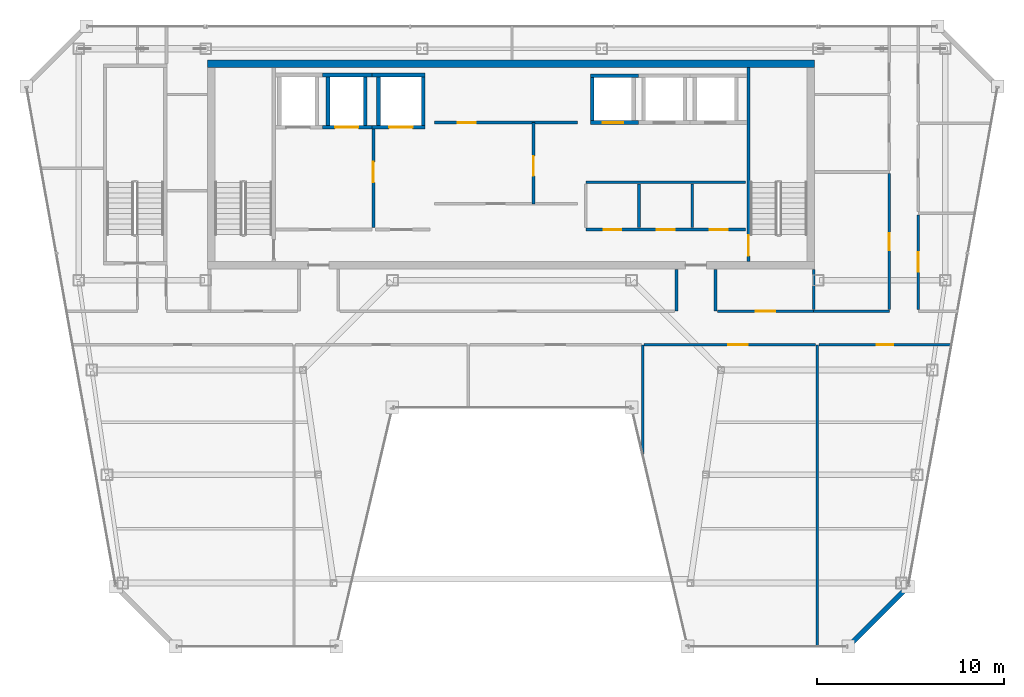
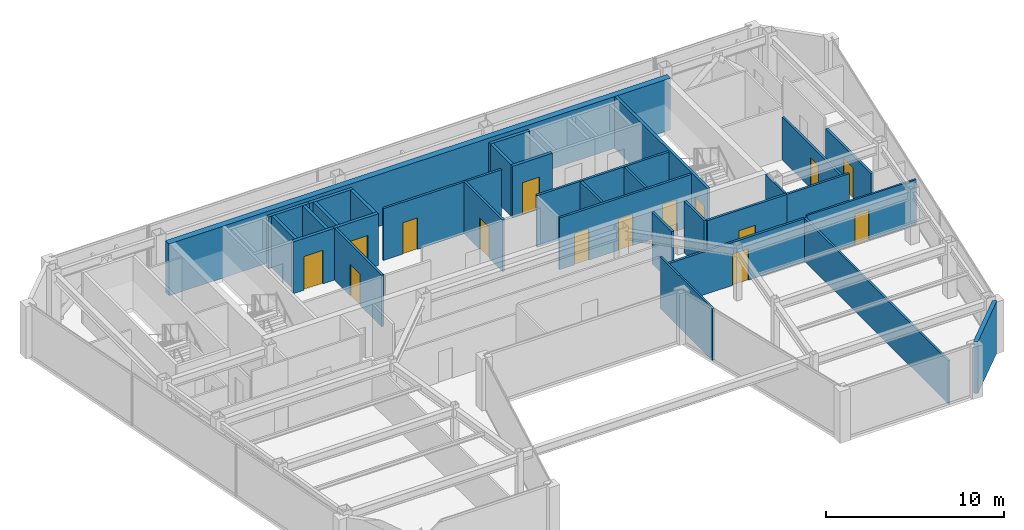
# One storey, part 28 of 32: 32 walls, 15 doors, 15 openings.
"""IFC4 building model written with IfcOpenShell, lengths in metres."""

from ifc_helpers import new_model, si_unit, direction, frame, frame_2d, origin, place, context, subcontext, project, spatial, rectangle, extrude, material, layer, layer_set, type_object, element, fill, save


model = new_model("IFC4")

# Units and contexts
model_context = context("Model", 3, precision=1e-05, world=origin(), true_north=direction((0.0, 1.0)))
body_context = subcontext(model_context, "Body", "Model", "MODEL_VIEW")
ifc_project = project(units=[si_unit("LENGTHUNIT", "METRE"), si_unit("AREAUNIT", "SQUARE_METRE"), si_unit("VOLUMEUNIT", "CUBIC_METRE"), si_unit("PLANEANGLEUNIT", "RADIAN"), si_unit("MASSUNIT", "GRAM", prefix="KILO")], contexts=[model_context])

# Site, building, storey
site_placement = place(None, origin())
site = spatial("IfcSite", under=ifc_project, at=site_placement, CompositionType="ELEMENT")
building_placement = place(site_placement, origin())
building = spatial("IfcBuilding", under=site, at=building_placement, Name="Saevonmaru Cultural Tower", CompositionType="ELEMENT")
storey_placement = place(building_placement, frame((0.0, 0.0, 264.800048828125)))
storey = spatial("IfcBuildingStorey", under=building, at=storey_placement, Name="L62", CompositionType="ELEMENT", Elevation=264.800048828125)

# Wall
ifc_material_1 = material(Name="Concrete C50/60", Category="concrete")
ifc_layer_1 = layer(ifc_material_1, 0.39990234375, Name="Concrete C50/60")
ifc_layer_set_1 = layer_set([ifc_layer_1], Name="Concrete C50/60")
wall_type_1 = type_object("IfcWallType", Name="WL-CORE-400", PredefinedType="SHEAR", material=ifc_layer_set_1)
wall_1_placement = place(storey_placement, frame((13.699951171875, 54.0, 0.0), z_axis=(0.0, 0.0, 1.0), x_axis=(1.0, 0.0, 0.0)))
element("IfcWall", 1, at=wall_1_placement, inside=storey, type_object=wall_type_1, Name="L62 Tower RC core shear wall N", PredefinedType="SHEAR", context=body_context, shape_type="SweptSolid", body=[
    extrude(rectangle(XDim=32.5, YDim=0.39990234375, at=frame_2d((16.25, 0.0))), origin(), (0.0, 0.0, 1.0), 3.550048828125),
])

# Wall, opening, door
ifc_material_2 = material(Name="Gypsum Fireboard Partition", Category="gypsum")
ifc_layer_2 = layer(ifc_material_2, 0.14990234375, Name="Gypsum Fireboard Partition")
ifc_layer_set_2 = layer_set([ifc_layer_2], Name="Gypsum Fireboard Partition")
wall_type_2 = type_object("IfcWallType", Name="WL-CORE-PART-150", PredefinedType="PARTITIONING", material=ifc_layer_set_2)
wall_2_placement = place(storey_placement, frame((22.580078125, 50.550048828125, 0.0), z_axis=(0.0, 0.0, 1.0), x_axis=(0.0, -1.0, 0.0)))
wall_2 = element("IfcWall", 2, at=wall_2_placement, inside=storey, type_object=wall_type_2, Name="L62 Firefighting Lift Lobby East Wall", PredefinedType="PARTITIONING", context=body_context, shape_type="SweptSolid", body=[
    extrude(rectangle(XDim=5.330078125, YDim=0.14990234375, at=frame_2d((2.6650390625, 0.0))), origin(), (0.0, 0.0, 1.0), 3.550048828125),
])
opening_1_placement = place(wall_2_placement, frame((1.800048828125, 0.0, 0.0)))
opening_1 = element("IfcOpeningElement", 3, at=opening_1_placement, cuts=wall_2, Name="Opening FD-2", PredefinedType="OPENING", context=body_context, shape_type="SweptSolid", body=[
    extrude(rectangle(XDim=1.10009765625, YDim=2.14990234375, at=frame_2d((0.550048828125, 1.074951171875))), frame((0.0, 0.0849609375, 0.0), z_axis=(0.0, -1.0, 0.0), x_axis=(1.0, 0.0, 0.0)), (0.0, 0.0, 1.0), 0.169921875),
])
ifc_material_3 = material(Name="Satin Bronze Anodised Aluminium", Category="aluminium")
door_type_1 = type_object("IfcDoorType", Name="DR-FD60-1100", OperationType="SINGLE_SWING_LEFT", PredefinedType="DOOR", material=ifc_material_3)
door_1_placement = place(opening_1_placement, origin())
door_1 = element("IfcDoor", 4, at=door_1_placement, inside=storey, type_object=door_type_1, Name="L62 Firefighting Lift Lobby East Door", OperationType="SINGLE_SWING_LEFT", OverallHeight=2.14990234375, OverallWidth=1.10009765625, PredefinedType="DOOR", context=body_context, shape_type="SweptSolid", body=[
    extrude(rectangle(XDim=1.10009765625, YDim=2.14990234375, at=frame_2d((0.550048828125, 1.074951171875))), frame((0.0, 0.02490234375, 0.0), z_axis=(0.0, -1.0, 0.0), x_axis=(1.0, 0.0, 0.0)), (0.0, 0.0, 1.0), 0.050048828125),
])
fill(opening_1, door_1)

wall_3_placement = place(storey_placement, frame((31.14990234375, 46.5, 0.0), z_axis=(0.0, 0.0, 1.0), x_axis=(0.0, 1.0, 0.0)))
wall_3 = element("IfcWall", 5, at=wall_3_placement, inside=storey, type_object=wall_type_2, Name="L62 Lift Zone Baffle 1", PredefinedType="PARTITIONING", context=body_context, shape_type="SweptSolid", body=[
    extrude(rectangle(XDim=4.35009765625, YDim=0.14990234375, at=frame_2d((2.175048828125, 0.0))), origin(), (0.0, 0.0, 1.0), 3.550048828125),
])
opening_2_placement = place(wall_3_placement, frame((1.5, 0.0, 0.0)))
opening_2 = element("IfcOpeningElement", 6, at=opening_2_placement, cuts=wall_3, Name="Opening ID-1", PredefinedType="OPENING", context=body_context, shape_type="SweptSolid", body=[
    extrude(rectangle(XDim=1.050048828125, YDim=2.14990234375, at=frame_2d((0.52490234375, 1.074951171875))), frame((0.0, 0.0849609375, 0.0), z_axis=(0.0, -1.0, 0.0), x_axis=(1.0, 0.0, 0.0)), (0.0, 0.0, 1.0), 0.169921875),
])
door_type_2 = type_object("IfcDoorType", Name="DR-INT-1050", OperationType="SINGLE_SWING_LEFT", PredefinedType="DOOR", material=ifc_material_3)
door_2_placement = place(opening_2_placement, origin())
door_2 = element("IfcDoor", 7, at=door_2_placement, inside=storey, type_object=door_type_2, Name="L62 West-Mid Lobby Portal", OperationType="SINGLE_SWING_LEFT", OverallHeight=2.14990234375, OverallWidth=1.050048828125, PredefinedType="DOOR", context=body_context, shape_type="SweptSolid", body=[
    extrude(rectangle(XDim=1.050048828125, YDim=2.14990234375, at=frame_2d((0.52490234375, 1.074951171875))), frame((0.0, 0.02490234375, 0.0), z_axis=(0.0, -1.0, 0.0), x_axis=(1.0, 0.0, 0.0)), (0.0, 0.0, 1.0), 0.050048828125),
])
fill(opening_2, door_2)

# Wall, openings, doors
wall_4_placement = place(storey_placement, frame((33.949951171875, 45.1201171875, 0.0), z_axis=(0.0, 0.0, 1.0), x_axis=(1.0, 0.0, 0.0)))
wall_4 = element("IfcWall", 8, at=wall_4_placement, inside=storey, type_object=wall_type_2, Name="L62 Core Utility South Wall", PredefinedType="PARTITIONING", context=body_context, shape_type="SweptSolid", body=[
    extrude(rectangle(XDim=8.550048828125, YDim=0.14990234375, at=frame_2d((4.27490234375, 0.0))), origin(), (0.0, 0.0, 1.0), 3.550048828125),
])
opening_3_placement = place(wall_4_placement, frame((0.949951171875, 0.0, 0.0)))
opening_3 = element("IfcOpeningElement", 9, at=opening_3_placement, cuts=wall_4, Name="Opening FD-4", PredefinedType="OPENING", context=body_context, shape_type="SweptSolid", body=[
    extrude(rectangle(XDim=0.949951171875, YDim=2.14990234375, at=frame_2d((0.47509765625, 1.074951171875))), frame((0.0, 0.0849609375, 0.0), z_axis=(0.0, -1.0, 0.0), x_axis=(1.0, 0.0, 0.0)), (0.0, 0.0, 1.0), 0.169921875),
])
opening_4_placement = place(wall_4_placement, frame((3.800048828125, 0.0, 0.0)))
opening_4 = element("IfcOpeningElement", 10, at=opening_4_placement, cuts=wall_4, Name="Opening FD-4", PredefinedType="OPENING", context=body_context, shape_type="SweptSolid", body=[
    extrude(rectangle(XDim=0.949951171875, YDim=2.14990234375, at=frame_2d((0.47509765625, 1.074951171875))), frame((0.0, 0.0849609375, 0.0), z_axis=(0.0, -1.0, 0.0), x_axis=(1.0, 0.0, 0.0)), (0.0, 0.0, 1.0), 0.169921875),
])
opening_5_placement = place(wall_4_placement, frame((6.64990234375, 0.0, 0.0)))
opening_5 = element("IfcOpeningElement", 11, at=opening_5_placement, cuts=wall_4, Name="Opening FD-4", PredefinedType="OPENING", context=body_context, shape_type="SweptSolid", body=[
    extrude(rectangle(XDim=0.949951171875, YDim=2.14990234375, at=frame_2d((0.47509765625, 1.074951171875))), frame((0.0, 0.0849609375, 0.0), z_axis=(0.0, -1.0, 0.0), x_axis=(1.0, 0.0, 0.0)), (0.0, 0.0, 1.0), 0.169921875),
])
door_type_3 = type_object("IfcDoorType", Name="DR-FD60-950", OperationType="SINGLE_SWING_LEFT", PredefinedType="DOOR", material=ifc_material_3)
door_3_placement = place(opening_3_placement, origin())
door_3 = element("IfcDoor", 12, at=door_3_placement, inside=storey, type_object=door_type_3, Name="L62 Meter Plant Door", OperationType="SINGLE_SWING_LEFT", OverallHeight=2.14990234375, OverallWidth=0.949951171875, PredefinedType="DOOR", context=body_context, shape_type="SweptSolid", body=[
    extrude(rectangle(XDim=0.949951171875, YDim=2.14990234375, at=frame_2d((0.47509765625, 1.074951171875))), frame((0.0, 0.02490234375, 0.0), z_axis=(0.0, -1.0, 0.0), x_axis=(1.0, 0.0, 0.0)), (0.0, 0.0, 1.0), 0.050048828125),
])
fill(opening_3, door_3)
door_4_placement = place(opening_4_placement, origin())
door_4 = element("IfcDoor", 13, at=door_4_placement, inside=storey, type_object=door_type_3, Name="L62 AV Rack Plant Door", OperationType="SINGLE_SWING_LEFT", OverallHeight=2.14990234375, OverallWidth=0.949951171875, PredefinedType="DOOR", context=body_context, shape_type="SweptSolid", body=[
    extrude(rectangle(XDim=0.949951171875, YDim=2.14990234375, at=frame_2d((0.47509765625, 1.074951171875))), frame((0.0, 0.02490234375, 0.0), z_axis=(0.0, -1.0, 0.0), x_axis=(1.0, 0.0, 0.0)), (0.0, 0.0, 1.0), 0.050048828125),
])
fill(opening_4, door_4)
door_5_placement = place(opening_5_placement, origin())
door_5 = element("IfcDoor", 14, at=door_5_placement, inside=storey, type_object=door_type_3, Name="L62 Archive Supply Storage Door", OperationType="SINGLE_SWING_LEFT", OverallHeight=2.14990234375, OverallWidth=0.949951171875, PredefinedType="DOOR", context=body_context, shape_type="SweptSolid", body=[
    extrude(rectangle(XDim=0.949951171875, YDim=2.14990234375, at=frame_2d((0.47509765625, 1.074951171875))), frame((0.0, 0.02490234375, 0.0), z_axis=(0.0, -1.0, 0.0), x_axis=(1.0, 0.0, 0.0)), (0.0, 0.0, 1.0), 0.050048828125),
])
fill(opening_5, door_5)

# Walls
wall_5_placement = place(storey_placement, frame((33.949951171875, 47.64990234375, 0.0), z_axis=(0.0, 0.0, 1.0), x_axis=(1.0, 0.0, 0.0)))
element("IfcWall", 15, at=wall_5_placement, inside=storey, type_object=wall_type_2, Name="L62 Core Utility North Wall", PredefinedType="PARTITIONING", context=body_context, shape_type="SweptSolid", body=[
    extrude(rectangle(XDim=8.550048828125, YDim=0.14990234375, at=frame_2d((4.27490234375, 0.0))), origin(), (0.0, 0.0, 1.0), 3.550048828125),
])
for number, where, z_axis, x_axis, name in (
    (16, (36.800048828125, 45.219970703125, 0.0), (0.0, 0.0, 1.0), (0.0, 1.0, 0.0), "L62 Utility Divider 1"),
    (17, (39.64990234375, 45.219970703125, 0.0), (0.0, 0.0, 1.0), (0.0, 1.0, 0.0), "L62 Utility Divider 2"),
):
    element("IfcWall", number, at=place(storey_placement, frame(where, z_axis=z_axis, x_axis=x_axis)), inside=storey, type_object=wall_type_2, Name=name, PredefinedType="PARTITIONING", context=body_context, shape_type="SweptSolid", body=[
        extrude(rectangle(XDim=2.330078125, YDim=0.14990234375, at=frame_2d((1.1650390625, 0.0))), origin(), (0.0, 0.0, 1.0), 3.550048828125),
    ])

# Wall, opening, door
wall_6_placement = place(storey_placement, frame((25.85009765625, 50.85009765625, 0.0), z_axis=(0.0, 0.0, 1.0), x_axis=(1.0, 0.0, 0.0)))
wall_6 = element("IfcWall", 18, at=wall_6_placement, inside=storey, type_object=wall_type_2, Name="L62 Reclaimed Core Room South Wall", PredefinedType="PARTITIONING", context=body_context, shape_type="SweptSolid", body=[
    extrude(rectangle(XDim=7.64990234375, YDim=0.14990234375, at=frame_2d((3.824951171875, 0.0))), origin(), (0.0, 0.0, 1.0), 3.550048828125),
])
opening_6_placement = place(wall_6_placement, frame((1.25, 0.0, 0.0)))
opening_6 = element("IfcOpeningElement", 19, at=opening_6_placement, cuts=wall_6, Name="Opening FD-4", PredefinedType="OPENING", context=body_context, shape_type="SweptSolid", body=[
    extrude(rectangle(XDim=0.949951171875, YDim=2.14990234375, at=frame_2d((0.47509765625, 1.074951171875))), frame((0.0, 0.0849609375, 0.0), z_axis=(0.0, -1.0, 0.0), x_axis=(1.0, 0.0, 0.0)), (0.0, 0.0, 1.0), 0.169921875),
])
door_6_placement = place(opening_6_placement, origin())
door_6 = element("IfcDoor", 20, at=door_6_placement, inside=storey, type_object=door_type_3, Name="L62 Reclaimed Archive Vault Door", OperationType="SINGLE_SWING_LEFT", OverallHeight=2.14990234375, OverallWidth=0.949951171875, PredefinedType="DOOR", context=body_context, shape_type="SweptSolid", body=[
    extrude(rectangle(XDim=0.949951171875, YDim=2.14990234375, at=frame_2d((0.47509765625, 1.074951171875))), frame((0.0, 0.02490234375, 0.0), z_axis=(0.0, -1.0, 0.0), x_axis=(1.0, 0.0, 0.0)), (0.0, 0.0, 1.0), 0.050048828125),
])
fill(opening_6, door_6)

# Wall
ifc_material_4 = material(Name="Granite-Clad Precast Concrete C40/50", Category="masonry")
ifc_layer_3 = layer(ifc_material_4, 0.260009765625, Name="Granite-Clad Precast Concrete C40/50")
ifc_layer_set_3 = layer_set([ifc_layer_3], Name="Granite-Clad Precast Concrete C40/50")
wall_type_3 = type_object("IfcWallType", Name="WL-EXT-SPANDREL-260", PredefinedType="STANDARD", material=ifc_layer_set_3)
wall_7_placement = place(storey_placement, frame((48.117431640625, 22.9130859375, 0.0), z_axis=(0.0, 0.0, 1.0), x_axis=(0.707106781187, 0.707106781187, 0.0)))
element("IfcWall", 21, at=wall_7_placement, inside=storey, type_object=wall_type_3, Name="L62 Chamfer Corner Spandrel Wall E7", PredefinedType="STANDARD", context=body_context, shape_type="SweptSolid", body=[
    extrude(rectangle(XDim=4.205810546875, YDim=0.260009765625, at=frame_2d((2.10302734375, 0.0))), origin(), (0.0, 0.0, 1.0), 3.550048828125),
])

# Wall, opening, door
ifc_layer_4 = layer(ifc_material_2, 0.14990234375, Name="Gypsum Fireboard Partition")
ifc_layer_set_4 = layer_set([ifc_layer_4], Name="Gypsum Fireboard Partition")
wall_type_4 = type_object("IfcWallType", Name="WL-PART-FIRE-150", PredefinedType="PARTITIONING", material=ifc_layer_set_4)
wall_8_placement = place(storey_placement, frame((51.75, 40.83740234375, 0.0), z_axis=(0.0, 0.0, 1.0), x_axis=(0.0, 1.0, 0.0)))
wall_8 = element("IfcWall", 22, at=wall_8_placement, inside=storey, type_object=wall_type_4, Name="L62 Contemporary Photography Gallery Corridor Wall", PredefinedType="PARTITIONING", context=body_context, shape_type="SweptSolid", body=[
    extrude(rectangle(XDim=5.0751953125, YDim=0.14990234375, at=frame_2d((2.53759765625, 0.0))), origin(), (0.0, 0.0, 1.0), 2.947021484375),
])
opening_7_placement = place(wall_8_placement, frame((2.012939453125, 0.0, 0.0)))
opening_7 = element("IfcOpeningElement", 23, at=opening_7_placement, cuts=wall_8, Name="Opening ID-1", PredefinedType="OPENING", context=body_context, shape_type="SweptSolid", body=[
    extrude(rectangle(XDim=1.050048828125, YDim=2.14990234375, at=frame_2d((0.52490234375, 1.074951171875))), frame((0.0, 0.0849609375, 0.0), z_axis=(0.0, -1.0, 0.0), x_axis=(1.0, 0.0, 0.0)), (0.0, 0.0, 1.0), 0.169921875),
])
door_7_placement = place(opening_7_placement, origin())
door_7 = element("IfcDoor", 24, at=door_7_placement, inside=storey, type_object=door_type_2, Name="L62 Contemporary Photography Gallery Door", OperationType="SINGLE_SWING_LEFT", OverallHeight=2.14990234375, OverallWidth=1.050048828125, PredefinedType="DOOR", context=body_context, shape_type="SweptSolid", body=[
    extrude(rectangle(XDim=1.050048828125, YDim=2.14990234375, at=frame_2d((0.52490234375, 1.074951171875))), frame((0.0, 0.02490234375, 0.0), z_axis=(0.0, -1.0, 0.0), x_axis=(1.0, 0.0, 0.0)), (0.0, 0.0, 1.0), 0.050048828125),
])
fill(opening_7, door_7)

# Walls
for number, where, z_axis, x_axis, name in (
    (25, (38.800048828125, 40.75, 0.0), (0.0, 0.0, 1.0), (0.0, 1.0, 0.0), "L62 Core Portal Side Wall E1"),
    (26, (40.89990234375, 40.75, 0.0), (0.0, 0.0, 1.0), (0.0, 1.0, 0.0), "L62 Core Portal Side Wall E2"),
):
    element("IfcWall", number, at=place(storey_placement, frame(where, z_axis=z_axis, x_axis=x_axis)), inside=storey, type_object=wall_type_4, Name=name, PredefinedType="PARTITIONING", context=body_context, shape_type="SweptSolid", body=[
        extrude(rectangle(XDim=2.22998046875, YDim=0.14990234375, at=frame_2d((1.114990234375, 0.0))), origin(), (0.0, 0.0, 1.0), 3.550048828125),
    ])

# Wall, opening, door
wall_9_placement = place(storey_placement, frame((40.9951171875, 40.75, 0.0), z_axis=(0.0, 0.0, 1.0), x_axis=(1.0, 0.0, 0.0)))
wall_9 = element("IfcWall", 27, at=wall_9_placement, inside=storey, type_object=wall_type_4, Name="L62 Sculpture Study Gallery Corridor Wall", PredefinedType="PARTITIONING", context=body_context, shape_type="SweptSolid", body=[
    extrude(rectangle(XDim=5.15478515625, YDim=0.14990234375, at=frame_2d((2.577392578125, 0.0))), origin(), (0.0, 0.0, 1.0), 3.550048828125),
])
opening_8_placement = place(wall_9_placement, frame((2.052978515625, 0.0, 0.0)))
opening_8 = element("IfcOpeningElement", 28, at=opening_8_placement, cuts=wall_9, Name="Opening ID-1", PredefinedType="OPENING", context=body_context, shape_type="SweptSolid", body=[
    extrude(rectangle(XDim=1.050048828125, YDim=2.14990234375, at=frame_2d((0.52490234375, 1.074951171875))), frame((0.0, 0.0849609375, 0.0), z_axis=(0.0, -1.0, 0.0), x_axis=(1.0, 0.0, 0.0)), (0.0, 0.0, 1.0), 0.169921875),
])
door_8_placement = place(opening_8_placement, origin())
door_8 = element("IfcDoor", 29, at=door_8_placement, inside=storey, type_object=door_type_2, Name="L62 Sculpture Study Gallery Door", OperationType="SINGLE_SWING_RIGHT", OverallHeight=2.14990234375, OverallWidth=1.050048828125, PredefinedType="DOOR", context=body_context, shape_type="SweptSolid", body=[
    extrude(rectangle(XDim=1.050048828125, YDim=2.14990234375, at=frame_2d((0.52490234375, 1.074951171875))), frame((0.0, 0.02490234375, 0.0), z_axis=(0.0, -1.0, 0.0), x_axis=(1.0, 0.0, 0.0)), (0.0, 0.0, 1.0), 0.050048828125),
])
fill(opening_8, door_8)

wall_10_placement = place(storey_placement, frame((37.080078125, 38.949951171875, 0.0), z_axis=(0.0, 0.0, 1.0), x_axis=(1.0, 0.0, 0.0)))
wall_10 = element("IfcWall", 30, at=wall_10_placement, inside=storey, type_object=wall_type_4, Name="L62 Contemporary Photography Gallery Corridor Wall", PredefinedType="PARTITIONING", context=body_context, shape_type="SweptSolid", body=[
    extrude(rectangle(XDim=9.17236328125, YDim=0.14990234375, at=frame_2d((4.586181640625, 0.0))), origin(), (0.0, 0.0, 1.0), 2.947021484375),
])
opening_9_placement = place(wall_10_placement, frame((4.5009765625, 0.0, 0.0)))
opening_9 = element("IfcOpeningElement", 31, at=opening_9_placement, cuts=wall_10, Name="Opening ID-1", PredefinedType="OPENING", context=body_context, shape_type="SweptSolid", body=[
    extrude(rectangle(XDim=1.050048828125, YDim=2.14990234375, at=frame_2d((0.52490234375, 1.074951171875))), frame((0.0, 0.0849609375, 0.0), z_axis=(0.0, -1.0, 0.0), x_axis=(1.0, 0.0, 0.0)), (0.0, 0.0, 1.0), 0.169921875),
])
door_9_placement = place(opening_9_placement, origin())
door_9 = element("IfcDoor", 32, at=door_9_placement, inside=storey, type_object=door_type_2, Name="L62 Contemporary Photography Gallery Door", OperationType="SINGLE_SWING_RIGHT", OverallHeight=2.14990234375, OverallWidth=1.050048828125, PredefinedType="DOOR", context=body_context, shape_type="SweptSolid", body=[
    extrude(rectangle(XDim=1.050048828125, YDim=2.14990234375, at=frame_2d((0.52490234375, 1.074951171875))), frame((0.0, 0.02490234375, 0.0), z_axis=(0.0, -1.0, 0.0), x_axis=(1.0, 0.0, 0.0)), (0.0, 0.0, 1.0), 0.050048828125),
])
fill(opening_9, door_9)

# Wall
ifc_layer_5 = layer(ifc_material_2, 0.1201171875, Name="Gypsum Fireboard Partition")
ifc_layer_set_5 = layer_set([ifc_layer_5], Name="Gypsum Fireboard Partition")
wall_type_5 = type_object("IfcWallType", Name="WL-PART-GYP-120", PredefinedType="PARTITIONING", material=ifc_layer_set_5)
wall_11_placement = place(storey_placement, frame((37.0, 33.080810546875, 0.0), z_axis=(0.0, 0.0, 1.0), x_axis=(0.0, 1.0, 0.0)))
element("IfcWall", 33, at=wall_11_placement, inside=storey, type_object=wall_type_5, Name="L62 Observatory Bay Divider 3", PredefinedType="PARTITIONING", context=body_context, shape_type="SweptSolid", body=[
    extrude(rectangle(XDim=5.869140625, YDim=0.1201171875, at=frame_2d((2.9345703125, 0.0))), origin(), (0.0, 0.0, 1.0), 3.550048828125),
])

# Wall, opening, door
wall_12_placement = place(storey_placement, frame((46.427490234375, 38.949951171875, 0.0), z_axis=(0.0, 0.0, 1.0), x_axis=(1.0, 0.0, 0.0)))
wall_12 = element("IfcWall", 34, at=wall_12_placement, inside=storey, type_object=wall_type_5, Name="L62 Digital Media Classroom Corridor Wall", PredefinedType="PARTITIONING", context=body_context, shape_type="SweptSolid", body=[
    extrude(rectangle(XDim=7.089111328125, YDim=0.1201171875, at=frame_2d((3.54443359375, 0.0))), origin(), (0.0, 0.0, 1.0), 3.0849609375),
])
opening_10_placement = place(wall_12_placement, frame((3.094970703125, 0.0, 0.0)))
opening_10 = element("IfcOpeningElement", 35, at=opening_10_placement, cuts=wall_12, Name="Opening ID-2", PredefinedType="OPENING", context=body_context, shape_type="SweptSolid", body=[
    extrude(rectangle(XDim=0.89990234375, YDim=2.10009765625, at=frame_2d((0.449951171875, 1.050048828125))), frame((0.0, 0.070068359375, 0.0), z_axis=(0.0, -1.0, 0.0), x_axis=(1.0, 0.0, 0.0)), (0.0, 0.0, 1.0), 0.14013671875),
])
ifc_material_5 = material(Name="Acoustic Stained Oak Timber", Category="wood")
door_type_4 = type_object("IfcDoorType", Name="DR-INT-900", OperationType="SINGLE_SWING_RIGHT", PredefinedType="DOOR", material=ifc_material_5)
door_10_placement = place(opening_10_placement, origin())
door_10 = element("IfcDoor", 36, at=door_10_placement, inside=storey, type_object=door_type_4, Name="L62 Digital Media Classroom Door", OperationType="SINGLE_SWING_LEFT", OverallHeight=2.10009765625, OverallWidth=0.89990234375, PredefinedType="DOOR", context=body_context, shape_type="SweptSolid", body=[
    extrude(rectangle(XDim=0.89990234375, YDim=2.10009765625, at=frame_2d((0.449951171875, 1.050048828125))), frame((0.0, 0.02490234375, 0.0), z_axis=(0.0, -1.0, 0.0), x_axis=(1.0, 0.0, 0.0)), (0.0, 0.0, 1.0), 0.050048828125),
])
fill(opening_10, door_10)

# Walls
ifc_layer_6 = layer(ifc_material_2, 0.135009765625, Name="Gypsum Fireboard Partition")
ifc_layer_set_6 = layer_set([ifc_layer_6], Name="Gypsum Fireboard Partition")
wall_type_6 = type_object("IfcWallType", Name="WL-PART-GYP-135", PredefinedType="PARTITIONING", material=ifc_layer_set_6)
wall_13_placement = place(storey_placement, frame((46.340087890625, 22.804931640625, 0.0), z_axis=(0.0, 0.0, 1.0), x_axis=(0.0, 1.0, 0.0)))
element("IfcWall", 37, at=wall_13_placement, inside=storey, type_object=wall_type_6, Name="L62 Observatory Bay Divider 4", PredefinedType="PARTITIONING", context=body_context, shape_type="SweptSolid", body=[
    extrude(rectangle(XDim=16.14501953125, YDim=0.135009765625, at=frame_2d((8.072509765625, 0.0))), origin(), (0.0, 0.0, 1.0), 2.947021484375),
])
ifc_layer_7 = layer(ifc_material_2, 0.139892578125, Name="Gypsum Fireboard Partition")
ifc_layer_set_7 = layer_set([ifc_layer_7], Name="Gypsum Fireboard Partition")
wall_type_7 = type_object("IfcWallType", Name="WL-PART-WET-140", PredefinedType="PARTITIONING", material=ifc_layer_set_7)
wall_14_placement = place(storey_placement, frame((46.14990234375, 40.75, 0.0), z_axis=(0.0, 0.0, 1.0), x_axis=(1.0, 0.0, 0.0)))
element("IfcWall", 38, at=wall_14_placement, inside=storey, type_object=wall_type_7, Name="L62 Washroom South Wall", PredefinedType="PARTITIONING", context=body_context, shape_type="SweptSolid", body=[
    extrude(rectangle(XDim=4.050048828125, YDim=0.139892578125, at=frame_2d((2.02490234375, 0.0))), origin(), (0.0, 0.0, 1.0), 3.550048828125),
])
wall_15_placement = place(storey_placement, frame((46.14990234375, 40.840087890625, 0.0), z_axis=(0.0, 0.0, 1.0), x_axis=(0.0, 1.0, 0.0)))
element("IfcWall", 39, at=wall_15_placement, inside=storey, type_object=wall_type_7, Name="L62 Washroom South-West Return", PredefinedType="PARTITIONING", context=body_context, shape_type="SweptSolid", body=[
    extrude(rectangle(XDim=2.139892578125, YDim=0.139892578125, at=frame_2d((1.06982421875, 0.0))), origin(), (0.0, 0.0, 1.0), 3.550048828125),
])

# Wall, opening, door
wall_16_placement = place(storey_placement, frame((50.199951171875, 40.840087890625, 0.0), z_axis=(0.0, 0.0, 1.0), x_axis=(0.0, 1.0, 0.0)))
wall_16 = element("IfcWall", 40, at=wall_16_placement, inside=storey, type_object=wall_type_7, Name="L62 Washroom Corridor Wall", PredefinedType="PARTITIONING", context=body_context, shape_type="SweptSolid", body=[
    extrude(rectangle(XDim=7.27001953125, YDim=0.139892578125, at=frame_2d((3.635009765625, 0.0))), origin(), (0.0, 0.0, 1.0), 2.947021484375),
])
opening_11_placement = place(wall_16_placement, frame((3.18505859375, 0.0, 0.0)))
opening_11 = element("IfcOpeningElement", 41, at=opening_11_placement, cuts=wall_16, Name="Opening ID-2", PredefinedType="OPENING", context=body_context, shape_type="SweptSolid", body=[
    extrude(rectangle(XDim=0.89990234375, YDim=2.10009765625, at=frame_2d((0.449951171875, 1.050048828125))), frame((0.0, 0.080078125, 0.0), z_axis=(0.0, -1.0, 0.0), x_axis=(1.0, 0.0, 0.0)), (0.0, 0.0, 1.0), 0.159912109375),
])
door_11_placement = place(opening_11_placement, origin())
door_11 = element("IfcDoor", 42, at=door_11_placement, inside=storey, type_object=door_type_4, Name="L62 Public Accessible Washrooms Door", OperationType="SINGLE_SWING_RIGHT", OverallHeight=2.10009765625, OverallWidth=0.89990234375, PredefinedType="DOOR", context=body_context, shape_type="SweptSolid", body=[
    extrude(rectangle(XDim=0.89990234375, YDim=2.10009765625, at=frame_2d((0.449951171875, 1.050048828125))), frame((0.0, 0.02490234375, 0.0), z_axis=(0.0, -1.0, 0.0), x_axis=(1.0, 0.0, 0.0)), (0.0, 0.0, 1.0), 0.050048828125),
])
fill(opening_11, door_11)

ifc_material_6 = material(Name="Concrete C40/50", Category="concrete")
ifc_layer_8 = layer(ifc_material_6, 0.199951171875, Name="Concrete C40/50")
ifc_layer_set_8 = layer_set([ifc_layer_8], Name="Concrete C40/50")
wall_type_8 = type_object("IfcWallType", Name="WL-SHAFT-200", PredefinedType="SHEAR", material=ifc_layer_set_8)
wall_17_placement = place(storey_placement, frame((19.85009765625, 50.60009765625, 0.0), z_axis=(0.0, 0.0, 1.0), x_axis=(1.0, 0.0, 0.0)))
wall_17 = element("IfcWall", 43, at=wall_17_placement, inside=storey, type_object=wall_type_8, Name="L62 Lift FFL-2 Hoistway Wall S", PredefinedType="SHEAR", context=body_context, shape_type="SweptSolid", body=[
    extrude(rectangle(XDim=2.64990234375, YDim=0.199951171875, at=frame_2d((1.324951171875, 0.0))), origin(), (0.0, 0.0, 1.0), 3.550048828125),
])
opening_12_placement = place(wall_17_placement, frame((0.675048828125, 0.0, 0.0)))
opening_12 = element("IfcOpeningElement", 44, at=opening_12_placement, cuts=wall_17, Name="Opening LD-2", PredefinedType="OPENING", context=body_context, shape_type="SweptSolid", body=[
    extrude(rectangle(XDim=1.25, YDim=2.300048828125, at=frame_2d((0.625, 1.14990234375))), frame((0.0, 0.10986328125, 0.0), z_axis=(0.0, -1.0, 0.0), x_axis=(1.0, 0.0, 0.0)), (0.0, 0.0, 1.0), 0.219970703125),
])
ifc_material_7 = material(Name="Stainless Steel 316", Category="steel")
door_type_5 = type_object("IfcDoorType", Name="DR-LIFT-1250", OperationType="SLIDING_TO_LEFT", PredefinedType="DOOR", material=ifc_material_7)
door_12_placement = place(opening_12_placement, origin())
door_12 = element("IfcDoor", 45, at=door_12_placement, inside=storey, type_object=door_type_5, Name="L62 Lift FFL-2 Sliding Landing Door", OperationType="SLIDING_TO_LEFT", OverallHeight=2.300048828125, OverallWidth=1.25, PredefinedType="DOOR", context=body_context, shape_type="SweptSolid", body=[
    extrude(rectangle(XDim=1.25, YDim=2.300048828125, at=frame_2d((0.625, 1.14990234375))), frame((0.0, 0.02490234375, 0.0), z_axis=(0.0, -1.0, 0.0), x_axis=(1.0, 0.0, 0.0)), (0.0, 0.0, 1.0), 0.050048828125),
])
fill(opening_12, door_12)

# Walls
wall_18_placement = place(storey_placement, frame((19.85009765625, 53.39990234375, 0.0), z_axis=(0.0, 0.0, 1.0), x_axis=(1.0, 0.0, 0.0)))
element("IfcWall", 46, at=wall_18_placement, inside=storey, type_object=wall_type_8, Name="L62 Lift FFL-2 Hoistway Wall N", PredefinedType="SHEAR", context=body_context, shape_type="SweptSolid", body=[
    extrude(rectangle(XDim=2.64990234375, YDim=0.199951171875, at=frame_2d((1.324951171875, 0.0))), origin(), (0.0, 0.0, 1.0), 3.550048828125),
])
for number, where, z_axis, x_axis, name in (
    (47, (20.14990234375, 50.699951171875, 0.0), (0.0, 0.0, 1.0), (0.0, 1.0, 0.0), "L62 Lift FFL-2 Hoistway Wall W"),
    (48, (22.14990234375, 50.699951171875, 0.0), (0.0, 0.0, 1.0), (0.0, 1.0, 0.0), "L62 Lift FFL-2 Hoistway Wall E"),
):
    element("IfcWall", number, at=place(storey_placement, frame(where, z_axis=z_axis, x_axis=x_axis)), inside=storey, type_object=wall_type_8, Name=name, PredefinedType="SHEAR", context=body_context, shape_type="SweptSolid", body=[
        extrude(rectangle(XDim=2.60009765625, YDim=0.199951171875, at=frame_2d((1.300048828125, 0.0))), origin(), (0.0, 0.0, 1.0), 3.550048828125),
    ])

# Wall, opening, door
wall_19_placement = place(storey_placement, frame((22.5, 50.60009765625, 0.0), z_axis=(0.0, 0.0, 1.0), x_axis=(1.0, 0.0, 0.0)))
wall_19 = element("IfcWall", 49, at=wall_19_placement, inside=storey, type_object=wall_type_8, Name="L62 Lift GL-1 Hoistway Wall S", PredefinedType="SHEAR", context=body_context, shape_type="SweptSolid", body=[
    extrude(rectangle(XDim=2.85009765625, YDim=0.199951171875, at=frame_2d((1.425048828125, 0.0))), origin(), (0.0, 0.0, 1.0), 3.550048828125),
])
opening_13_placement = place(wall_19_placement, frame((0.925048828125, 0.0, 0.0)))
opening_13 = element("IfcOpeningElement", 50, at=opening_13_placement, cuts=wall_19, Name="Opening LD-2", PredefinedType="OPENING", context=body_context, shape_type="SweptSolid", body=[
    extrude(rectangle(XDim=1.25, YDim=2.300048828125, at=frame_2d((0.625, 1.14990234375))), frame((0.0, 0.10986328125, 0.0), z_axis=(0.0, -1.0, 0.0), x_axis=(1.0, 0.0, 0.0)), (0.0, 0.0, 1.0), 0.219970703125),
])
door_13_placement = place(opening_13_placement, origin())
door_13 = element("IfcDoor", 51, at=door_13_placement, inside=storey, type_object=door_type_5, Name="L62 Lift GL-1 Sliding Landing Door", OperationType="SLIDING_TO_LEFT", OverallHeight=2.300048828125, OverallWidth=1.25, PredefinedType="DOOR", context=body_context, shape_type="SweptSolid", body=[
    extrude(rectangle(XDim=1.25, YDim=2.300048828125, at=frame_2d((0.625, 1.14990234375))), frame((0.0, 0.02490234375, 0.0), z_axis=(0.0, -1.0, 0.0), x_axis=(1.0, 0.0, 0.0)), (0.0, 0.0, 1.0), 0.050048828125),
])
fill(opening_13, door_13)

# Walls
wall_20_placement = place(storey_placement, frame((22.5, 53.39990234375, 0.0), z_axis=(0.0, 0.0, 1.0), x_axis=(1.0, 0.0, 0.0)))
element("IfcWall", 52, at=wall_20_placement, inside=storey, type_object=wall_type_8, Name="L62 Lift GL-1 Hoistway Wall N", PredefinedType="SHEAR", context=body_context, shape_type="SweptSolid", body=[
    extrude(rectangle(XDim=2.85009765625, YDim=0.199951171875, at=frame_2d((1.425048828125, 0.0))), origin(), (0.0, 0.0, 1.0), 3.550048828125),
])
for number, where, z_axis, x_axis, name in (
    (53, (22.85009765625, 50.699951171875, 0.0), (0.0, 0.0, 1.0), (0.0, 1.0, 0.0), "L62 Lift GL-1 Hoistway Wall W"),
    (54, (25.25, 50.699951171875, 0.0), (0.0, 0.0, 1.0), (0.0, 1.0, 0.0), "L62 Lift GL-1 Hoistway Wall E"),
):
    element("IfcWall", number, at=place(storey_placement, frame(where, z_axis=z_axis, x_axis=x_axis)), inside=storey, type_object=wall_type_8, Name=name, PredefinedType="SHEAR", context=body_context, shape_type="SweptSolid", body=[
        extrude(rectangle(XDim=2.60009765625, YDim=0.199951171875, at=frame_2d((1.300048828125, 0.0))), origin(), (0.0, 0.0, 1.0), 3.550048828125),
    ])

# Wall, opening, door
wall_21_placement = place(storey_placement, frame((34.199951171875, 50.85009765625, 0.0), z_axis=(0.0, 0.0, 1.0), x_axis=(1.0, 0.0, 0.0)))
wall_21 = element("IfcWall", 55, at=wall_21_placement, inside=storey, type_object=wall_type_8, Name="L62 Lift PL-H1 Hoistway Wall S", PredefinedType="SHEAR", context=body_context, shape_type="SweptSolid", body=[
    extrude(rectangle(XDim=2.574951171875, YDim=0.199951171875, at=frame_2d((1.28759765625, 0.0))), origin(), (0.0, 0.0, 1.0), 3.550048828125),
])
opening_14_placement = place(wall_21_placement, frame((0.64990234375, 0.0, 0.0)))
opening_14 = element("IfcOpeningElement", 56, at=opening_14_placement, cuts=wall_21, Name="Opening LD-1", PredefinedType="OPENING", context=body_context, shape_type="SweptSolid", body=[
    extrude(rectangle(XDim=1.10009765625, YDim=2.199951171875, at=frame_2d((0.550048828125, 1.10009765625))), frame((0.0, 0.10986328125, 0.0), z_axis=(0.0, -1.0, 0.0), x_axis=(1.0, 0.0, 0.0)), (0.0, 0.0, 1.0), 0.219970703125),
])
ifc_material_8 = material(Name="Satin Bronze Stainless Steel", Category="steel")
door_type_6 = type_object("IfcDoorType", Name="DR-LIFT-1100", OperationType="SLIDING_TO_LEFT", PredefinedType="DOOR", material=ifc_material_8)
door_14_placement = place(opening_14_placement, origin())
door_14 = element("IfcDoor", 57, at=door_14_placement, inside=storey, type_object=door_type_6, Name="L62 Lift PL-H1 Sliding Landing Door", OperationType="SLIDING_TO_LEFT", OverallHeight=2.199951171875, OverallWidth=1.10009765625, PredefinedType="DOOR", context=body_context, shape_type="SweptSolid", body=[
    extrude(rectangle(XDim=1.10009765625, YDim=2.199951171875, at=frame_2d((0.550048828125, 1.10009765625))), frame((0.0, 0.02490234375, 0.0), z_axis=(0.0, -1.0, 0.0), x_axis=(1.0, 0.0, 0.0)), (0.0, 0.0, 1.0), 0.050048828125),
])
fill(opening_14, door_14)

# Walls
wall_22_placement = place(storey_placement, frame((34.199951171875, 53.35009765625, 0.0), z_axis=(0.0, 0.0, 1.0), x_axis=(1.0, 0.0, 0.0)))
element("IfcWall", 58, at=wall_22_placement, inside=storey, type_object=wall_type_8, Name="L62 Lift PL-H1 Hoistway Wall N", PredefinedType="SHEAR", context=body_context, shape_type="SweptSolid", body=[
    extrude(rectangle(XDim=2.574951171875, YDim=0.199951171875, at=frame_2d((1.28759765625, 0.0))), origin(), (0.0, 0.0, 1.0), 3.550048828125),
])
wall_23_placement = place(storey_placement, frame((34.300048828125, 50.949951171875, 0.0), z_axis=(0.0, 0.0, 1.0), x_axis=(0.0, 1.0, 0.0)))
element("IfcWall", 59, at=wall_23_placement, inside=storey, type_object=wall_type_8, Name="L62 Lift PL-H1 Hoistway Wall W", PredefinedType="SHEAR", context=body_context, shape_type="SweptSolid", body=[
    extrude(rectangle(XDim=2.300048828125, YDim=0.199951171875, at=frame_2d((1.14990234375, 0.0))), origin(), (0.0, 0.0, 1.0), 3.550048828125),
])

# Wall, opening, door
ifc_layer_9 = layer(ifc_material_6, 0.179931640625, Name="Concrete C40/50")
ifc_layer_set_9 = layer_set([ifc_layer_9], Name="Concrete C40/50")
wall_type_9 = type_object("IfcWallType", Name="WL-STSHAFT-180", PredefinedType="SHEAR", material=ifc_layer_set_9)
wall_24_placement = place(storey_placement, frame((42.659912109375, 53.800048828125, 0.0), z_axis=(0.0, 0.0, 1.0), x_axis=(0.0, -1.0, 0.0)))
wall_24 = element("IfcWall", 60, at=wall_24_placement, inside=storey, type_object=wall_type_9, Name="L62 Stair ST-2 Structural Shaft Wall 1", PredefinedType="SHEAR", context=body_context, shape_type="SweptSolid", body=[
    extrude(rectangle(XDim=10.400146484375, YDim=0.179931640625, at=frame_2d((5.2001953125, 0.0))), origin(), (0.0, 0.0, 1.0), 3.550048828125),
])
opening_15_placement = place(wall_24_placement, frame((8.989990234375, 0.0, 0.0)))
opening_15 = element("IfcOpeningElement", 61, at=opening_15_placement, cuts=wall_24, Name="Opening FD-2", PredefinedType="OPENING", context=body_context, shape_type="SweptSolid", body=[
    extrude(rectangle(XDim=1.10009765625, YDim=2.14990234375, at=frame_2d((0.550048828125, 1.074951171875))), frame((0.0, 0.10009765625, 0.0), z_axis=(0.0, -1.0, 0.0), x_axis=(1.0, 0.0, 0.0)), (0.0, 0.0, 1.0), 0.199951171875),
])
door_15_placement = place(opening_15_placement, origin())
door_15 = element("IfcDoor", 62, at=door_15_placement, inside=storey, type_object=door_type_1, Name="L62 Protected Stair ST-2 Fire Door", OperationType="SINGLE_SWING_LEFT", OverallHeight=2.14990234375, OverallWidth=1.10009765625, PredefinedType="DOOR", context=body_context, shape_type="SweptSolid", body=[
    extrude(rectangle(XDim=1.10009765625, YDim=2.14990234375, at=frame_2d((0.550048828125, 1.074951171875))), frame((0.0, 0.02490234375, 0.0), z_axis=(0.0, -1.0, 0.0), x_axis=(1.0, 0.0, 0.0)), (0.0, 0.0, 1.0), 0.050048828125),
])
fill(opening_15, door_15)

save(model, "model.ifc")
